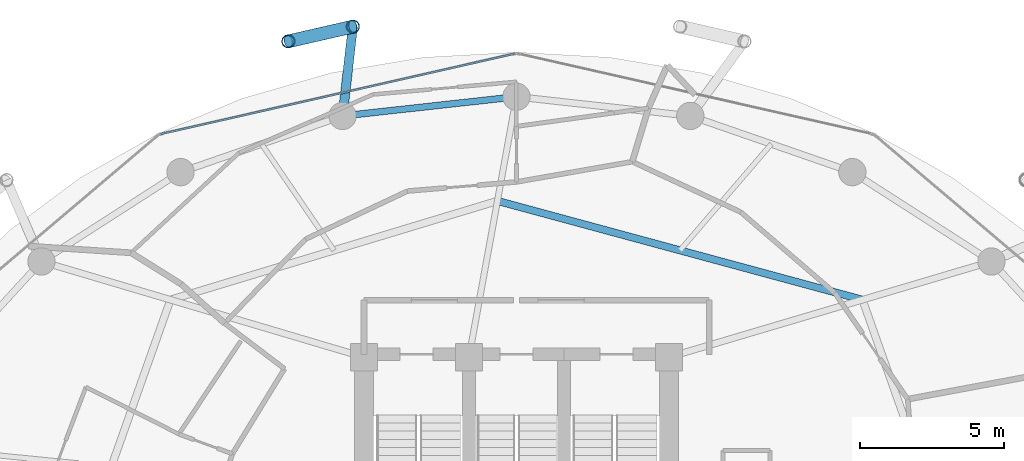
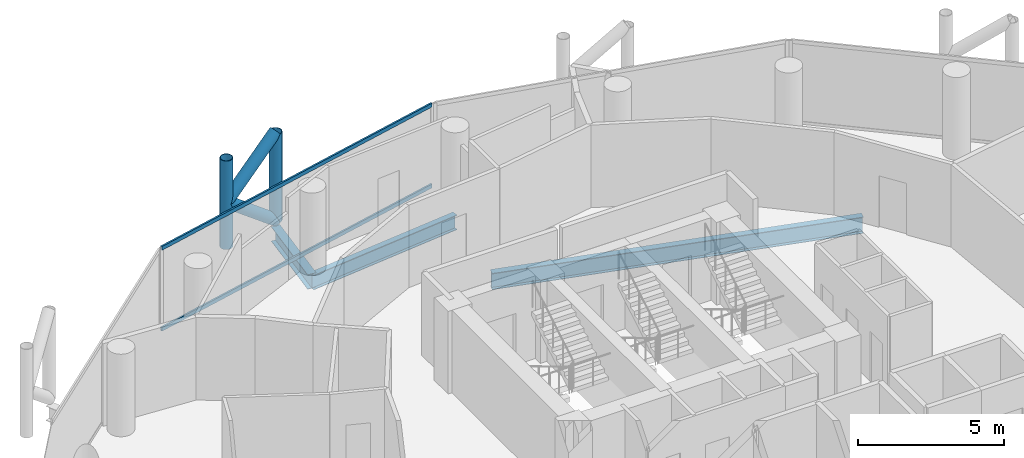
# One storey, part 16 of 26: 6 members, 3 beams, 1 element without a shape of its own.
"""IFC4 building model written with IfcOpenShell, lengths in metres."""

import ifcopenshell
import ifcopenshell.guid

model = None  # the IFC model being written
_history = None  # IfcOwnerHistory: only IFC2X3 demands one
_inside = {}  # id of a spatial element -> (the spatial element, [elements in it])
_under = {}  # id of a project, library or spatial element -> (it, [spatial elements below it])
_declared = {}  # id of a project -> (the project, [libraries it declares])
_typed = {}  # id of a type object -> (the type object, [elements of that type])
_made_of = {}  # id of a material, layer set ... -> (it, [elements and type objects made of it])


def new_model(schema):
    """Start an empty IFC model of exactly this schema.

    Asked for "IFC4X3", IfcOpenShell would pick the latest addendum, in which some entities
    have other attributes; the version numbers below select the first issue.
    IFC2X3 requires an IfcOwnerHistory on every rooted entity: one is made here for all.
    """
    global model, _history
    if schema == "IFC4X3":
        model = ifcopenshell.file(schema_version=(4, 3, 0, 0))
    else:
        model = ifcopenshell.file(schema=schema)
    _inside.clear()
    _under.clear()
    _declared.clear()
    _typed.clear()
    _made_of.clear()
    _history = None
    if model.schema == "IFC2X3":
        org = make("IfcOrganization", Name="unknown")
        user = make(
            "IfcPersonAndOrganization",
            ThePerson=make("IfcPerson", FamilyName="unknown"),
            TheOrganization=org,
        )
        app = make(
            "IfcApplication",
            ApplicationDeveloper=org,
            Version="unknown",
            ApplicationFullName="unknown",
            ApplicationIdentifier="unknown",
        )
        _history = make(
            "IfcOwnerHistory",
            OwningUser=user,
            OwningApplication=app,
            ChangeAction="ADDED",
            CreationDate=0,
        )
    return model


def make(cls, **values):
    """One entity of the class cls with the attributes given. An attribute that is None is left unset."""
    return model.create_entity(
        cls, **{name: value for name, value in values.items() if value is not None}
    )


def rooted(cls, **values):
    """An entity with a GlobalId (a new one), such as an element, a storey or a relation."""
    return make(cls, GlobalId=ifcopenshell.guid.new(), OwnerHistory=_history, **values)


def si_unit(unit_type, name, prefix=None):
    """IfcSIUnit, for example si_unit("LENGTHUNIT", "METRE", prefix="MILLI")."""
    return make("IfcSIUnit", UnitType=unit_type, Prefix=prefix, Name=name)


def assignment(units):
    """IfcUnitAssignment: the units of a project."""
    return None if units is None else make("IfcUnitAssignment", Units=units)


def point(xyz):
    """IfcCartesianPoint."""
    return None if xyz is None else make("IfcCartesianPoint", Coordinates=xyz)


def direction(xyz):
    """IfcDirection."""
    return None if xyz is None else make("IfcDirection", DirectionRatios=xyz)


def frame(location, z_axis=None, x_axis=None):
    """IfcAxis2Placement3D, a coordinate frame: its origin and axes. An axis left out is left unset."""
    return make(
        "IfcAxis2Placement3D",
        Location=point(location),
        Axis=direction(z_axis),
        RefDirection=direction(x_axis),
    )


def frame_2d(location, x_axis=None):
    """IfcAxis2Placement2D, a coordinate frame in the plane: its origin and x axis."""
    return make(
        "IfcAxis2Placement2D", Location=point(location), RefDirection=direction(x_axis)
    )


def origin():
    """The frame at (0, 0, 0) with its axes left unset."""
    return frame((0.0, 0.0, 0.0))


def origin_2d():
    """The frame at (0, 0) in the plane with its x axis left unset."""
    return frame_2d((0.0, 0.0))


def place(relative_to, where):
    """IfcLocalPlacement: puts the frame where relative to a parent placement (None: the world)."""
    return make(
        "IfcLocalPlacement", PlacementRelTo=relative_to, RelativePlacement=where
    )


def context(
    kind, dimensions, precision=None, world=None, true_north=None, identifier=None
):
    """IfcGeometricRepresentationContext, for example the 3D "Model" context."""
    return make(
        "IfcGeometricRepresentationContext",
        ContextIdentifier=identifier,
        ContextType=kind,
        CoordinateSpaceDimension=dimensions,
        Precision=precision,
        WorldCoordinateSystem=world,
        TrueNorth=true_north,
    )


def subcontext(parent, identifier, kind, view, scale=None):
    """IfcGeometricRepresentationSubContext, for example "Body" below "Model"."""
    return make(
        "IfcGeometricRepresentationSubContext",
        ContextIdentifier=identifier,
        ContextType=kind,
        ParentContext=parent,
        TargetScale=scale,
        TargetView=view,
    )


def project(units=None, contexts=None):
    """IfcProject with its units and contexts."""
    return rooted(
        "IfcProject",
        Name="project",
        RepresentationContexts=contexts,
        UnitsInContext=assignment(units),
    )


def spatial(cls, under=None, at=None, **own):
    """A site, building, storey or space (cls), placed at a placement, below another one or the project."""
    s = rooted(cls, ObjectPlacement=at, **own)
    if under is not None:
        _under.setdefault(under.id(), (under, []))[1].append(s)
    return s


def profile(cls, at=None, kind="AREA", **sizes):
    """A parametric profile (cls). Its sizes go by their IFC names, for example OverallWidth=200.0."""
    return make(cls, ProfileType=kind, Position=at, **sizes)


def hollow_rectangle(**sizes):
    """IfcRectangleHollowProfileDef."""
    return profile("IfcRectangleHollowProfileDef", **sizes)


def hollow_circle(**sizes):
    """IfcCircleHollowProfileDef."""
    return profile("IfcCircleHollowProfileDef", **sizes)


def i_section(**sizes):
    """IfcIShapeProfileDef."""
    return profile("IfcIShapeProfileDef", **sizes)


def extrude(swept, where, along, depth):
    """IfcExtrudedAreaSolid: the profile swept, set in the frame where, extruded along a direction by depth."""
    return make(
        "IfcExtrudedAreaSolid",
        SweptArea=swept,
        Position=where,
        ExtrudedDirection=direction(along),
        Depth=depth,
    )


def shape(context_of_items, identifier, shape_type, items):
    """IfcShapeRepresentation: the items that make up one representation, for example the "Body"."""
    return make(
        "IfcShapeRepresentation",
        ContextOfItems=context_of_items,
        RepresentationIdentifier=identifier,
        RepresentationType=shape_type,
        Items=items,
    )


def material(Name=None, Category=None):
    """IfcMaterial."""
    return make("IfcMaterial", Name=Name, Category=Category)


def layer(
    of_material, thickness, ventilated=None, Name=None, Category=None, Priority=None
):
    """IfcMaterialLayer: one layer of a wall or slab, of a material (None: an air gap)."""
    return make(
        "IfcMaterialLayer",
        Material=of_material,
        LayerThickness=thickness,
        IsVentilated=ventilated,
        Name=Name,
        Category=Category,
        Priority=Priority,
    )


def layer_set(layers, Name=None):
    """IfcMaterialLayerSet."""
    return make("IfcMaterialLayerSet", MaterialLayers=layers, LayerSetName=Name)


def material_profile(
    of_material, cross_section, Name=None, Category=None, Priority=None
):
    """IfcMaterialProfile: a cross section and its material."""
    return make(
        "IfcMaterialProfile",
        Name=Name,
        Material=of_material,
        Profile=cross_section,
        Priority=Priority,
        Category=Category,
    )


def profile_set(profiles, Name=None, composite=None):
    """IfcMaterialProfileSet."""
    return make(
        "IfcMaterialProfileSet",
        Name=Name,
        MaterialProfiles=profiles,
        CompositeProfile=composite,
    )


def made_of(thing, what):
    """Note that an element or type object is made of a material, layer set ...; save() writes the relation."""
    if what is not None:
        _made_of.setdefault(what.id(), (what, []))[1].append(thing)
    return thing


def type_object(cls, material=None, **own):
    """A type object (cls), such as IfcWallType, which elements share."""
    return made_of(rooted(cls, **own), material)


def element(
    cls,
    number,
    at=None,
    inside=None,
    cuts=None,
    type_object=None,
    material=None,
    context=None,
    identifier="Body",
    shape_type=None,
    held_by="IfcProductDefinitionShape",
    body=None,
    shapes=None,
    **own,
):
    """One element of the class cls, such as IfcWall. Its Tag is "e" and its number.

    at: its placement. inside: the storey or other place that contains it. cuts: it is an
    opening in that element (IfcRelVoidsElement). A single representation is given by context,
    identifier, shape_type and body (its items); several are given by shapes. held_by: the class
    of the entity that holds the representations. save() writes the other relations.
    """
    e = rooted(cls, Tag="e%d" % number, ObjectPlacement=at, **own)
    if body is not None:
        shapes = [shape(context, identifier, shape_type, body)]
    if shapes is not None:
        e.Representation = make(held_by, Representations=shapes)
    if inside is not None:
        _inside.setdefault(inside.id(), (inside, []))[1].append(e)
    if cuts is not None:
        rooted(
            "IfcRelVoidsElement", RelatingBuildingElement=cuts, RelatedOpeningElement=e
        )
    if type_object is not None:
        _typed.setdefault(type_object.id(), (type_object, []))[1].append(e)
    return made_of(e, material)


def aggregate(whole, parts):
    """IfcRelAggregates: a whole, such as a stair, and the parts it consists of."""
    return rooted("IfcRelAggregates", RelatingObject=whole, RelatedObjects=parts)


def save(model, path):
    """Write the relations noted so far, then the file.

    IfcRelAggregates (storeys below a building ...), IfcRelContainedInSpatialStructure (elements
    in a storey), IfcRelDefinesByType, IfcRelAssociatesMaterial and IfcRelDeclares: one each for
    every whole, place, type object, material and project.
    """
    for whole, parts in _under.values():
        aggregate(whole, parts)
    for where, things in _inside.values():
        rooted(
            "IfcRelContainedInSpatialStructure",
            RelatedElements=things,
            RelatingStructure=where,
        )
    for kind, things in _typed.values():
        rooted("IfcRelDefinesByType", RelatedObjects=things, RelatingType=kind)
    for what, things in _made_of.values():
        rooted("IfcRelAssociatesMaterial", RelatedObjects=things, RelatingMaterial=what)
    for by, libraries in _declared.values():
        rooted("IfcRelDeclares", RelatingContext=by, RelatedDefinitions=libraries)
    model.write(path)


model = new_model("IFC4")

# Units and contexts
model_context = context("Model", 3, precision=1e-05, world=origin(), true_north=direction((0.0, 1.0)))
body_context = subcontext(model_context, "Body", "Model", "MODEL_VIEW")
ifc_project = project(units=[si_unit("LENGTHUNIT", "METRE"), si_unit("AREAUNIT", "SQUARE_METRE"), si_unit("VOLUMEUNIT", "CUBIC_METRE"), si_unit("PLANEANGLEUNIT", "RADIAN"), si_unit("MASSUNIT", "GRAM", prefix="KILO")], contexts=[model_context])

# Site, building, storey
site_placement = place(None, origin())
site = spatial("IfcSite", under=ifc_project, at=site_placement, CompositionType="ELEMENT")
building_placement = place(site_placement, origin())
building = spatial("IfcBuilding", under=site, at=building_placement, Name="Nuhasar Tower", CompositionType="ELEMENT")
storey_placement = place(building_placement, frame((0.0, 0.0, 162.64990234375)))
storey = spatial("IfcBuildingStorey", under=building, at=storey_placement, Name="L39", CompositionType="ELEMENT", Elevation=162.64990234375)

# Beams
ifc_material_1 = material(Name="Steel S355", Category="steel")
ifc_material_profile_1 = material_profile(ifc_material_1, i_section(OverallWidth=0.25390625, OverallDepth=0.68408203125, WebThickness=0.012451171875, FlangeThickness=0.018798828125, at=origin_2d()), Name="W27X94")
ifc_profile_set_1 = profile_set([ifc_material_profile_1], Name="Steel S355")
beam_type_1 = type_object("IfcBeamType", Name="BM-INRING-W27X94", PredefinedType="BEAM", material=ifc_profile_set_1)
beam_1_placement = place(storey_placement, frame((51.027099609375, 39.2939453125, -0.591796875), z_axis=(-0.96522695776, 0.261413312618, 0.0), x_axis=(-0.261413312618, -0.96522695776, 0.0)))
element("IfcBeam", 1, at=beam_1_placement, inside=storey, type_object=beam_type_1, Name="L39 Inner Header Beam 05", PredefinedType="BEAM", context=body_context, shape_type="SweptSolid", body=[
    extrude(i_section(OverallWidth=0.25390625, OverallDepth=0.68408203125, WebThickness=0.012451171875, FlangeThickness=0.018798828125, at=origin_2d()), origin(), (0.0, 0.0, 1.0), 13.14404296875),
])
ifc_material_profile_2 = material_profile(ifc_material_1, i_section(OverallWidth=0.22998046875, OverallDepth=0.616943359375, WebThickness=0.01318359375, FlangeThickness=0.022216796875, at=origin_2d()), Name="W24X94")
ifc_profile_set_2 = profile_set([ifc_material_profile_2], Name="Steel S355")
beam_type_2 = type_object("IfcBeamType", Name="BM-RING-W24X94", PredefinedType="SPANDREL", material=ifc_profile_set_2)
beam_2_placement = place(storey_placement, frame((39.0, 46.35009765625, -0.558837890625), z_axis=(-0.993981289157, -0.109549974015, 0.0), x_axis=(0.109549974015, -0.993981289157, 0.0)))
element("IfcBeam", 2, at=beam_2_placement, inside=storey, type_object=beam_type_2, Name="L39 Perimeter Ring Spandrel 07", PredefinedType="SPANDREL", context=body_context, shape_type="SweptSolid", body=[
    extrude(i_section(OverallWidth=0.22998046875, OverallDepth=0.616943359375, WebThickness=0.01318359375, FlangeThickness=0.022216796875, at=origin_2d()), origin(), (0.0, 0.0, 1.0), 6.07958984375),
])
ifc_material_profile_3 = material_profile(ifc_material_1, i_section(OverallWidth=0.323974609375, OverallDepth=0.611083984375, WebThickness=0.0126953125, FlangeThickness=0.01904296875, at=origin_2d()), Name="W24X104")
ifc_profile_set_3 = profile_set([ifc_material_profile_3], Name="Steel S355")
beam_type_3 = type_object("IfcBeamType", Name="BM-TIE-W24X104", PredefinedType="BEAM", material=ifc_profile_set_3)
beam_3_placement = place(storey_placement, frame((32.95703125, 45.68408203125, -0.554931640625), z_axis=(0.114167639647, 0.993461499031, 0.0), x_axis=(-0.993461499031, 0.114167639647, 0.0)))
element("IfcBeam", 3, at=beam_3_placement, inside=storey, type_object=beam_type_3, Name="L39 Exoskeleton Node Tie Beam 04", PredefinedType="BEAM", context=body_context, shape_type="SweptSolid", body=[
    extrude(i_section(OverallWidth=0.323974609375, OverallDepth=0.611083984375, WebThickness=0.0126953125, FlangeThickness=0.01904296875, at=origin_2d()), origin(), (0.0, 0.0, 1.0), 3.12646484375),
])

# Curtain wall, members
ifc_material_2 = material(Name="Aluminium 6063-T6", Category="aluminium")
ifc_layer = layer(ifc_material_2, 0.199951171875)
ifc_layer_set = layer_set([ifc_layer], Name="Aluminium 6063-T6")
curtain_wall_type = type_object("IfcCurtainWallType", Name="CW-Z2-HTL", PredefinedType="NOTDEFINED", material=ifc_layer_set)
curtain_wall_placement = place(storey_placement, origin())
curtain_wall = element("IfcCurtainWall", 4, at=curtain_wall_placement, inside=storey, type_object=curtain_wall_type, Name="L39 Unitised Curtain Wall 04", PredefinedType="NOTDEFINED")
ifc_material_profile_4 = material_profile(ifc_material_2, hollow_rectangle(XDim=0.070068359375, YDim=0.159912109375, WallThickness=0.00439453125, at=origin_2d()), Name="CWT-3")
ifc_profile_set_4 = profile_set([ifc_material_profile_4], Name="Aluminium 6063-T6")
member_type_1 = type_object("IfcMemberType", Name="CW-TRN-S3", PredefinedType="USERDEFINED", material=ifc_profile_set_4)
member_1_placement = place(storey_placement, frame((38.931640625, 47.844482421875, 0.03515625), z_axis=(-0.975183434528, -0.221398439519, 0.0), x_axis=(0.221398439519, -0.975183434528, 0.0)))
member_1 = element("IfcMember", 5, at=member_1_placement, type_object=member_type_1, Name="CW-Z2 transom 1.1", ObjectType="TRANSOM", PredefinedType="USERDEFINED", context=body_context, shape_type="SweptSolid", body=[
    extrude(hollow_rectangle(XDim=0.070068359375, YDim=0.159912109375, WallThickness=0.00439453125, at=origin_2d()), origin(), (0.0, 0.0, 1.0), 12.606201171875),
])
member_2_placement = place(storey_placement, frame((38.931640625, 47.844482421875, 3.4150390625), z_axis=(-0.975183434528, -0.221398439519, 0.0), x_axis=(0.221398439519, -0.975183434528, 0.0)))
member_2 = element("IfcMember", 6, at=member_2_placement, type_object=member_type_1, Name="CW-Z2 transom 1.2", ObjectType="TRANSOM", PredefinedType="USERDEFINED", context=body_context, shape_type="SweptSolid", body=[
    extrude(hollow_rectangle(XDim=0.070068359375, YDim=0.159912109375, WallThickness=0.00439453125, at=origin_2d()), origin(), (0.0, 0.0, 1.0), 12.606201171875),
])
aggregate(curtain_wall, [member_1, member_2])

# Members
ifc_material_3 = material(Name="Steel S460", Category="steel")
ifc_material_profile_5 = material_profile(ifc_material_3, hollow_circle(Radius=0.228515625, WallThickness=0.022216796875, at=origin_2d()), Name="HSS457X22.2")
ifc_profile_set_5 = profile_set([ifc_material_profile_5], Name="Steel S460")
member_type_2 = type_object("IfcMemberType", Name="EXO-BRONZE-457", PredefinedType="BRACE", material=ifc_profile_set_5)
for number, where, z_axis, x_axis, name in (
    (7, (33.31396484375, 48.7900390625, 0.0), (0.0, 0.0, 1.0), (1.0, 0.0, 0.0), "L39 Exoskeleton Chord Column EC-04A"),
    (8, (31.072021484375, 48.27587890625, 0.0), (0.0, 0.0, 1.0), (1.0, 0.0, 0.0), "L39 Exoskeleton Chord Column EC-04B"),
):
    element("IfcMember", number, at=place(storey_placement, frame(where, z_axis=z_axis, x_axis=x_axis)), inside=storey, type_object=member_type_2, Name=name, PredefinedType="BRACE", context=body_context, shape_type="SweptSolid", body=[
        extrude(hollow_circle(Radius=0.228515625, WallThickness=0.022216796875, at=origin_2d()), origin(), (0.0, 0.0, 1.0), 3.7001953125),
    ])
for number, where, z_axis, x_axis, name in (
    (9, (33.31396484375, 48.7900390625, 0.0), (-0.759499549084, -0.174181209885, 0.626754609927), (0.223533724104, -0.974696195842, 0.0), "L39 Bronze Diagrid Brace W1-04"),
    (10, (31.072021484375, 48.27587890625, 1.85009765625), (0.759499549084, 0.174181209885, 0.626754609927), (-0.223533724104, 0.974696195842, 0.0), "L39 Bronze Diagrid Brace W2-04"),
):
    element("IfcMember", number, at=place(storey_placement, frame(where, z_axis=z_axis, x_axis=x_axis)), inside=storey, type_object=member_type_2, Name=name, PredefinedType="BRACE", context=body_context, shape_type="SweptSolid", body=[
        extrude(hollow_circle(Radius=0.228515625, WallThickness=0.022216796875, at=origin_2d()), origin(), (0.0, 0.0, 1.0), 2.951904296875),
    ])

save(model, "model.ifc")
